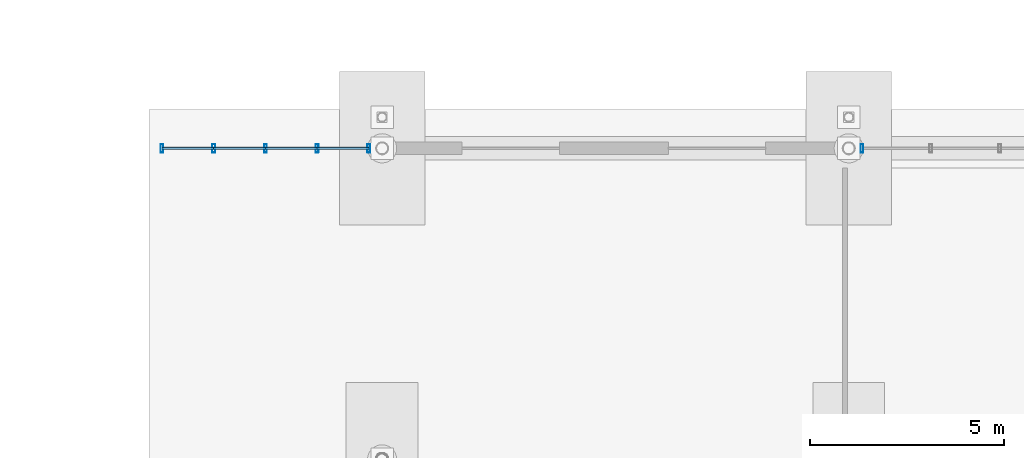
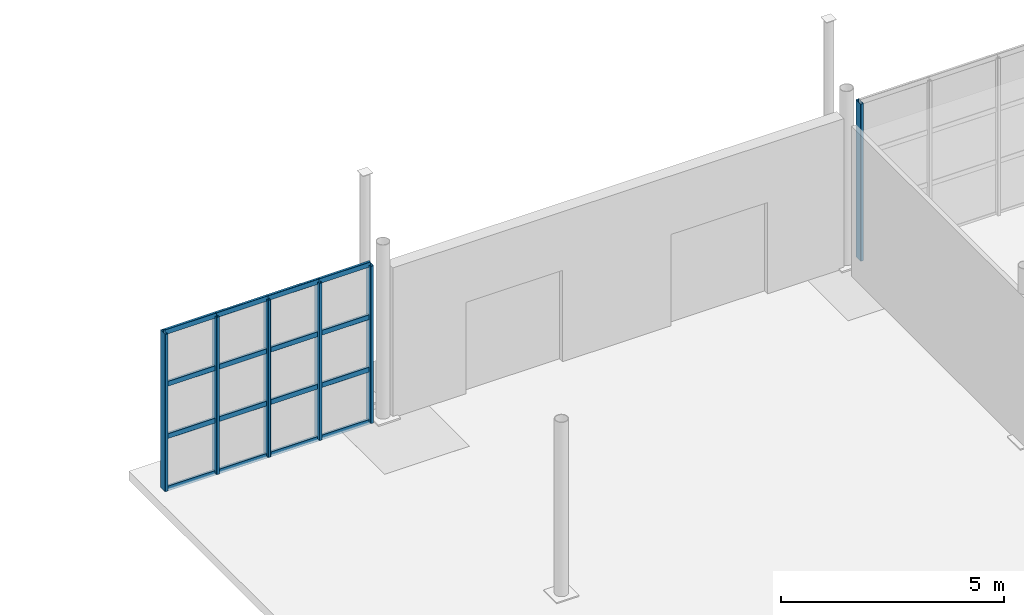
# One storey, part 52 of 101: 22 members, 2 elements without a shape of their own.
"""IFC4 building model written with IfcOpenShell, lengths in metres."""

from ifc_helpers import new_model, si_unit, derived_unit, direction, frame, origin, origin_2d, place, context, subcontext, project, spatial, hollow_rectangle, extrude, material, material_profile, profile_set, type_object, element, aggregate, save


model = new_model("IFC4")

# Units and contexts
model_context = context("Model", 3, precision=1e-05, world=origin(), true_north=direction((0.0, 1.0)))
body_context = subcontext(model_context, "Body", "Model", "MODEL_VIEW")
ifc_project = project(units=[si_unit("LENGTHUNIT", "METRE"), si_unit("AREAUNIT", "SQUARE_METRE"), si_unit("VOLUMEUNIT", "CUBIC_METRE"), si_unit("PLANEANGLEUNIT", "RADIAN"), si_unit("MASSUNIT", "GRAM", prefix="KILO"), derived_unit("THERMALTRANSMITTANCEUNIT", [(si_unit("POWERUNIT", "WATT"), 1), (si_unit("LENGTHUNIT", "METRE"), -2), (si_unit("THERMODYNAMICTEMPERATUREUNIT", "KELVIN"), -1)])], contexts=[model_context])

# Site, building, storey
site_placement = place(None, origin())
site = spatial("IfcSite", under=ifc_project, at=site_placement, CompositionType="ELEMENT")
building_placement = place(site_placement, origin())
building = spatial("IfcBuilding", under=site, at=building_placement, Name="Keldorne Ridge Multi-Sports Centre", CompositionType="ELEMENT")
storey_placement = place(building_placement, origin())
storey = spatial("IfcBuildingStorey", under=building, at=storey_placement, Name="L00", CompositionType="ELEMENT", Elevation=0.0)

# Curtain wall, member
ifc_material = material(Name="Anodized aluminium", Category="aluminium")
curtain_wall_type_1 = type_object("IfcCurtainWallType", Name="CW-CW-06", PredefinedType="NOTDEFINED", material=ifc_material)
curtain_wall_1_placement = place(storey_placement, origin())
curtain_wall_1 = element("IfcCurtainWall", 1, at=curtain_wall_1_placement, inside=storey, type_object=curtain_wall_type_1, Name="Public Passage N foyer glazing 078", PredefinedType="NOTDEFINED")
ifc_material_profile_1 = material_profile(ifc_material, hollow_rectangle(XDim=0.074951171875, YDim=0.219970703125, WallThickness=0.0048828125, InnerFilletRadius=0.0048828125, OuterFilletRadius=0.010009765625, at=origin_2d()), Name="ALU MULLION 220x75x5")
ifc_profile_set_1 = profile_set([ifc_material_profile_1], Name="Anodized aluminium")
member_type_1 = type_object("IfcMemberType", Name="MEM-ML-02", PredefinedType="MULLION", material=ifc_profile_set_1)
member_1_placement = place(storey_placement, frame((96.340087890625, 114.0, 0.0), z_axis=(0.0, 0.0, 1.0), x_axis=(1.0, 0.0, 0.0)))
member_1 = element("IfcMember", 2, at=member_1_placement, type_object=member_type_1, Name="CW-078 vertical mullion 4", PredefinedType="MULLION", context=body_context, shape_type="SweptSolid", body=[
    extrude(hollow_rectangle(XDim=0.074951171875, YDim=0.219970703125, WallThickness=0.0048828125, InnerFilletRadius=0.0048828125, OuterFilletRadius=0.010009765625, at=origin_2d()), origin(), (0.0, 0.0, 1.0), 4.300048828125),
])
aggregate(curtain_wall_1, [member_1])

# Curtain wall, members
curtain_wall_type_2 = type_object("IfcCurtainWallType", Name="CW-CW-01", PredefinedType="NOTDEFINED", material=ifc_material)
curtain_wall_2_placement = place(storey_placement, origin())
curtain_wall_2 = element("IfcCurtainWall", 3, at=curtain_wall_2_placement, inside=storey, type_object=curtain_wall_type_2, Name="Public Passage N foyer glazing 081", PredefinedType="NOTDEFINED")
member_2_placement = place(storey_placement, frame((83.659912109375, 114.0, 0.0), z_axis=(0.0, 0.0, 1.0), x_axis=(1.0, 0.0, 0.0)))
member_2 = element("IfcMember", 4, at=member_2_placement, type_object=member_type_1, Name="CW-081 vertical mullion 1", PredefinedType="MULLION", context=body_context, shape_type="SweptSolid", body=[
    extrude(hollow_rectangle(XDim=0.074951171875, YDim=0.219970703125, WallThickness=0.0048828125, InnerFilletRadius=0.0048828125, OuterFilletRadius=0.010009765625, at=origin_2d()), origin(), (0.0, 0.0, 1.0), 4.300048828125),
])
member_3_placement = place(storey_placement, frame((82.330078125, 114.0, 0.0), z_axis=(0.0, 0.0, 1.0), x_axis=(1.0, 0.0, 0.0)))
member_3 = element("IfcMember", 5, at=member_3_placement, type_object=member_type_1, Name="CW-081 vertical mullion 2", PredefinedType="MULLION", context=body_context, shape_type="SweptSolid", body=[
    extrude(hollow_rectangle(XDim=0.074951171875, YDim=0.219970703125, WallThickness=0.0048828125, InnerFilletRadius=0.0048828125, OuterFilletRadius=0.010009765625, at=origin_2d()), origin(), (0.0, 0.0, 1.0), 4.300048828125),
])
member_4_placement = place(storey_placement, frame((81.0, 114.0, 0.0), z_axis=(0.0, 0.0, 1.0), x_axis=(1.0, 0.0, 0.0)))
member_4 = element("IfcMember", 6, at=member_4_placement, type_object=member_type_1, Name="CW-081 vertical mullion 3", PredefinedType="MULLION", context=body_context, shape_type="SweptSolid", body=[
    extrude(hollow_rectangle(XDim=0.074951171875, YDim=0.219970703125, WallThickness=0.0048828125, InnerFilletRadius=0.0048828125, OuterFilletRadius=0.010009765625, at=origin_2d()), origin(), (0.0, 0.0, 1.0), 4.300048828125),
])
member_5_placement = place(storey_placement, frame((79.669921875, 114.0, 0.0), z_axis=(0.0, 0.0, 1.0), x_axis=(1.0, 0.0, 0.0)))
member_5 = element("IfcMember", 7, at=member_5_placement, type_object=member_type_1, Name="CW-081 vertical mullion 4", PredefinedType="MULLION", context=body_context, shape_type="SweptSolid", body=[
    extrude(hollow_rectangle(XDim=0.074951171875, YDim=0.219970703125, WallThickness=0.0048828125, InnerFilletRadius=0.0048828125, OuterFilletRadius=0.010009765625, at=origin_2d()), origin(), (0.0, 0.0, 1.0), 4.300048828125),
])
member_6_placement = place(storey_placement, frame((78.340087890625, 114.0, 0.0), z_axis=(0.0, 0.0, 1.0), x_axis=(1.0, 0.0, 0.0)))
member_6 = element("IfcMember", 8, at=member_6_placement, type_object=member_type_1, Name="CW-081 vertical mullion 5", PredefinedType="MULLION", context=body_context, shape_type="SweptSolid", body=[
    extrude(hollow_rectangle(XDim=0.074951171875, YDim=0.219970703125, WallThickness=0.0048828125, InnerFilletRadius=0.0048828125, OuterFilletRadius=0.010009765625, at=origin_2d()), origin(), (0.0, 0.0, 1.0), 4.300048828125),
])
ifc_material_profile_2 = material_profile(ifc_material, hollow_rectangle(XDim=0.06494140625, YDim=0.139892578125, WallThickness=0.00439453125, InnerFilletRadius=0.00439453125, OuterFilletRadius=0.009033203125, at=origin_2d()), Name="ALU TRANSOM 140x65x4.5")
ifc_profile_set_2 = profile_set([ifc_material_profile_2], Name="Anodized aluminium")
member_type_2 = type_object("IfcMemberType", Name="MEM-TR-01", PredefinedType="USERDEFINED", material=ifc_profile_set_2)
member_7_placement = place(storey_placement, frame((83.659912109375, 114.0, 0.0), z_axis=(-1.0, 0.0, 0.0), x_axis=(0.0, -1.0, 0.0)))
member_7 = element("IfcMember", 9, at=member_7_placement, type_object=member_type_2, Name="CW-081 transom 1.1", ObjectType="TRANSOM", PredefinedType="USERDEFINED", context=body_context, shape_type="SweptSolid", body=[
    extrude(hollow_rectangle(XDim=0.06494140625, YDim=0.139892578125, WallThickness=0.00439453125, InnerFilletRadius=0.00439453125, OuterFilletRadius=0.009033203125, at=origin_2d()), origin(), (0.0, 0.0, 1.0), 1.329833984375),
])
member_8_placement = place(storey_placement, frame((83.659912109375, 114.0, 1.433349609375), z_axis=(-1.0, 0.0, 0.0), x_axis=(0.0, -1.0, 0.0)))
member_8 = element("IfcMember", 10, at=member_8_placement, type_object=member_type_2, Name="CW-081 transom 1.2", ObjectType="TRANSOM", PredefinedType="USERDEFINED", context=body_context, shape_type="SweptSolid", body=[
    extrude(hollow_rectangle(XDim=0.06494140625, YDim=0.139892578125, WallThickness=0.00439453125, InnerFilletRadius=0.00439453125, OuterFilletRadius=0.009033203125, at=origin_2d()), origin(), (0.0, 0.0, 1.0), 1.329833984375),
])
member_9_placement = place(storey_placement, frame((83.659912109375, 114.0, 2.86669921875), z_axis=(-1.0, 0.0, 0.0), x_axis=(0.0, -1.0, 0.0)))
member_9 = element("IfcMember", 11, at=member_9_placement, type_object=member_type_2, Name="CW-081 transom 1.3", ObjectType="TRANSOM", PredefinedType="USERDEFINED", context=body_context, shape_type="SweptSolid", body=[
    extrude(hollow_rectangle(XDim=0.06494140625, YDim=0.139892578125, WallThickness=0.00439453125, InnerFilletRadius=0.00439453125, OuterFilletRadius=0.009033203125, at=origin_2d()), origin(), (0.0, 0.0, 1.0), 1.329833984375),
])
member_10_placement = place(storey_placement, frame((83.659912109375, 114.0, 4.300048828125), z_axis=(-1.0, 0.0, 0.0), x_axis=(0.0, -1.0, 0.0)))
member_10 = element("IfcMember", 12, at=member_10_placement, type_object=member_type_2, Name="CW-081 transom 1.4", ObjectType="TRANSOM", PredefinedType="USERDEFINED", context=body_context, shape_type="SweptSolid", body=[
    extrude(hollow_rectangle(XDim=0.06494140625, YDim=0.139892578125, WallThickness=0.00439453125, InnerFilletRadius=0.00439453125, OuterFilletRadius=0.009033203125, at=origin_2d()), origin(), (0.0, 0.0, 1.0), 1.329833984375),
])
member_11_placement = place(storey_placement, frame((82.330078125, 114.0, 0.0), z_axis=(-1.0, 0.0, 0.0), x_axis=(0.0, -1.0, 0.0)))
member_11 = element("IfcMember", 13, at=member_11_placement, type_object=member_type_2, Name="CW-081 transom 2.1", ObjectType="TRANSOM", PredefinedType="USERDEFINED", context=body_context, shape_type="SweptSolid", body=[
    extrude(hollow_rectangle(XDim=0.06494140625, YDim=0.139892578125, WallThickness=0.00439453125, InnerFilletRadius=0.00439453125, OuterFilletRadius=0.009033203125, at=origin_2d()), origin(), (0.0, 0.0, 1.0), 1.330078125),
])
member_12_placement = place(storey_placement, frame((82.330078125, 114.0, 1.433349609375), z_axis=(-1.0, 0.0, 0.0), x_axis=(0.0, -1.0, 0.0)))
member_12 = element("IfcMember", 14, at=member_12_placement, type_object=member_type_2, Name="CW-081 transom 2.2", ObjectType="TRANSOM", PredefinedType="USERDEFINED", context=body_context, shape_type="SweptSolid", body=[
    extrude(hollow_rectangle(XDim=0.06494140625, YDim=0.139892578125, WallThickness=0.00439453125, InnerFilletRadius=0.00439453125, OuterFilletRadius=0.009033203125, at=origin_2d()), origin(), (0.0, 0.0, 1.0), 1.330078125),
])
member_13_placement = place(storey_placement, frame((82.330078125, 114.0, 2.86669921875), z_axis=(-1.0, 0.0, 0.0), x_axis=(0.0, -1.0, 0.0)))
member_13 = element("IfcMember", 15, at=member_13_placement, type_object=member_type_2, Name="CW-081 transom 2.3", ObjectType="TRANSOM", PredefinedType="USERDEFINED", context=body_context, shape_type="SweptSolid", body=[
    extrude(hollow_rectangle(XDim=0.06494140625, YDim=0.139892578125, WallThickness=0.00439453125, InnerFilletRadius=0.00439453125, OuterFilletRadius=0.009033203125, at=origin_2d()), origin(), (0.0, 0.0, 1.0), 1.330078125),
])
member_14_placement = place(storey_placement, frame((82.330078125, 114.0, 4.300048828125), z_axis=(-1.0, 0.0, 0.0), x_axis=(0.0, -1.0, 0.0)))
member_14 = element("IfcMember", 16, at=member_14_placement, type_object=member_type_2, Name="CW-081 transom 2.4", ObjectType="TRANSOM", PredefinedType="USERDEFINED", context=body_context, shape_type="SweptSolid", body=[
    extrude(hollow_rectangle(XDim=0.06494140625, YDim=0.139892578125, WallThickness=0.00439453125, InnerFilletRadius=0.00439453125, OuterFilletRadius=0.009033203125, at=origin_2d()), origin(), (0.0, 0.0, 1.0), 1.330078125),
])
member_15_placement = place(storey_placement, frame((81.0, 114.0, 0.0), z_axis=(-1.0, 0.0, 0.0), x_axis=(0.0, -1.0, 0.0)))
member_15 = element("IfcMember", 17, at=member_15_placement, type_object=member_type_2, Name="CW-081 transom 3.1", ObjectType="TRANSOM", PredefinedType="USERDEFINED", context=body_context, shape_type="SweptSolid", body=[
    extrude(hollow_rectangle(XDim=0.06494140625, YDim=0.139892578125, WallThickness=0.00439453125, InnerFilletRadius=0.00439453125, OuterFilletRadius=0.009033203125, at=origin_2d()), origin(), (0.0, 0.0, 1.0), 1.330078125),
])
member_16_placement = place(storey_placement, frame((81.0, 114.0, 1.433349609375), z_axis=(-1.0, 0.0, 0.0), x_axis=(0.0, -1.0, 0.0)))
member_16 = element("IfcMember", 18, at=member_16_placement, type_object=member_type_2, Name="CW-081 transom 3.2", ObjectType="TRANSOM", PredefinedType="USERDEFINED", context=body_context, shape_type="SweptSolid", body=[
    extrude(hollow_rectangle(XDim=0.06494140625, YDim=0.139892578125, WallThickness=0.00439453125, InnerFilletRadius=0.00439453125, OuterFilletRadius=0.009033203125, at=origin_2d()), origin(), (0.0, 0.0, 1.0), 1.330078125),
])
member_17_placement = place(storey_placement, frame((81.0, 114.0, 2.86669921875), z_axis=(-1.0, 0.0, 0.0), x_axis=(0.0, -1.0, 0.0)))
member_17 = element("IfcMember", 19, at=member_17_placement, type_object=member_type_2, Name="CW-081 transom 3.3", ObjectType="TRANSOM", PredefinedType="USERDEFINED", context=body_context, shape_type="SweptSolid", body=[
    extrude(hollow_rectangle(XDim=0.06494140625, YDim=0.139892578125, WallThickness=0.00439453125, InnerFilletRadius=0.00439453125, OuterFilletRadius=0.009033203125, at=origin_2d()), origin(), (0.0, 0.0, 1.0), 1.330078125),
])
member_18_placement = place(storey_placement, frame((81.0, 114.0, 4.300048828125), z_axis=(-1.0, 0.0, 0.0), x_axis=(0.0, -1.0, 0.0)))
member_18 = element("IfcMember", 20, at=member_18_placement, type_object=member_type_2, Name="CW-081 transom 3.4", ObjectType="TRANSOM", PredefinedType="USERDEFINED", context=body_context, shape_type="SweptSolid", body=[
    extrude(hollow_rectangle(XDim=0.06494140625, YDim=0.139892578125, WallThickness=0.00439453125, InnerFilletRadius=0.00439453125, OuterFilletRadius=0.009033203125, at=origin_2d()), origin(), (0.0, 0.0, 1.0), 1.330078125),
])
member_19_placement = place(storey_placement, frame((79.669921875, 114.0, 0.0), z_axis=(-1.0, 0.0, 0.0), x_axis=(0.0, -1.0, 0.0)))
member_19 = element("IfcMember", 21, at=member_19_placement, type_object=member_type_2, Name="CW-081 transom 4.1", ObjectType="TRANSOM", PredefinedType="USERDEFINED", context=body_context, shape_type="SweptSolid", body=[
    extrude(hollow_rectangle(XDim=0.06494140625, YDim=0.139892578125, WallThickness=0.00439453125, InnerFilletRadius=0.00439453125, OuterFilletRadius=0.009033203125, at=origin_2d()), origin(), (0.0, 0.0, 1.0), 1.329833984375),
])
member_20_placement = place(storey_placement, frame((79.669921875, 114.0, 1.433349609375), z_axis=(-1.0, 0.0, 0.0), x_axis=(0.0, -1.0, 0.0)))
member_20 = element("IfcMember", 22, at=member_20_placement, type_object=member_type_2, Name="CW-081 transom 4.2", ObjectType="TRANSOM", PredefinedType="USERDEFINED", context=body_context, shape_type="SweptSolid", body=[
    extrude(hollow_rectangle(XDim=0.06494140625, YDim=0.139892578125, WallThickness=0.00439453125, InnerFilletRadius=0.00439453125, OuterFilletRadius=0.009033203125, at=origin_2d()), origin(), (0.0, 0.0, 1.0), 1.329833984375),
])
member_21_placement = place(storey_placement, frame((79.669921875, 114.0, 2.86669921875), z_axis=(-1.0, 0.0, 0.0), x_axis=(0.0, -1.0, 0.0)))
member_21 = element("IfcMember", 23, at=member_21_placement, type_object=member_type_2, Name="CW-081 transom 4.3", ObjectType="TRANSOM", PredefinedType="USERDEFINED", context=body_context, shape_type="SweptSolid", body=[
    extrude(hollow_rectangle(XDim=0.06494140625, YDim=0.139892578125, WallThickness=0.00439453125, InnerFilletRadius=0.00439453125, OuterFilletRadius=0.009033203125, at=origin_2d()), origin(), (0.0, 0.0, 1.0), 1.329833984375),
])
member_22_placement = place(storey_placement, frame((79.669921875, 114.0, 4.300048828125), z_axis=(-1.0, 0.0, 0.0), x_axis=(0.0, -1.0, 0.0)))
member_22 = element("IfcMember", 24, at=member_22_placement, type_object=member_type_2, Name="CW-081 transom 4.4", ObjectType="TRANSOM", PredefinedType="USERDEFINED", context=body_context, shape_type="SweptSolid", body=[
    extrude(hollow_rectangle(XDim=0.06494140625, YDim=0.139892578125, WallThickness=0.00439453125, InnerFilletRadius=0.00439453125, OuterFilletRadius=0.009033203125, at=origin_2d()), origin(), (0.0, 0.0, 1.0), 1.329833984375),
])
aggregate(curtain_wall_2, [member_2, member_3, member_4, member_5, member_6, member_7, member_8, member_9, member_10, member_11, member_12, member_13, member_14, member_15, member_16, member_17, member_18, member_19, member_20, member_21, member_22])

save(model, "model.ifc")
